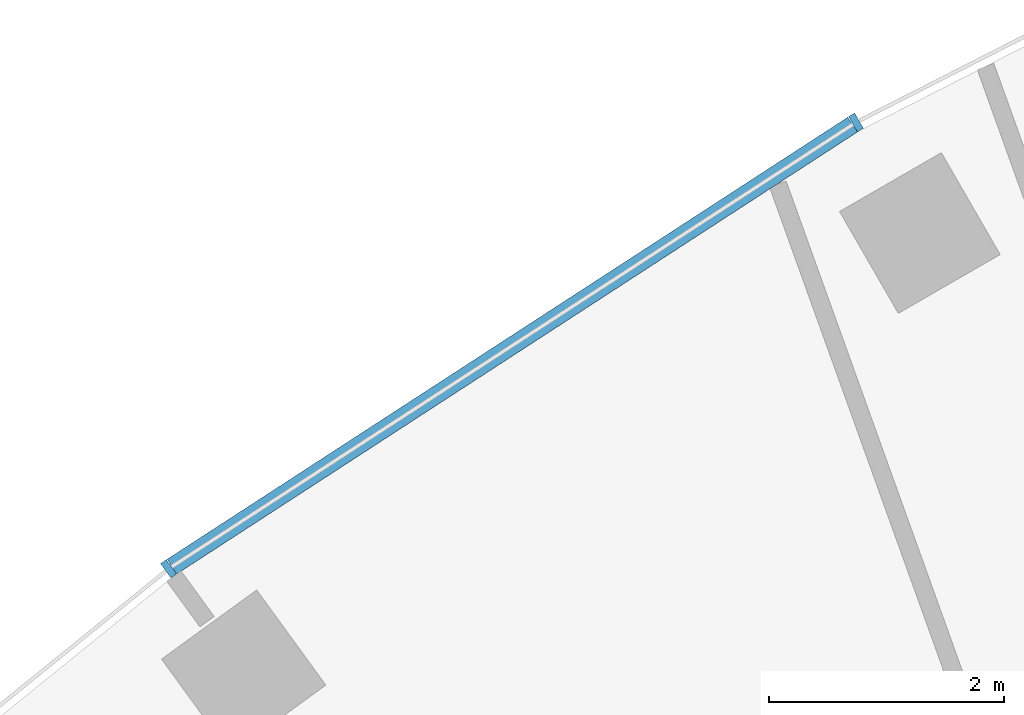
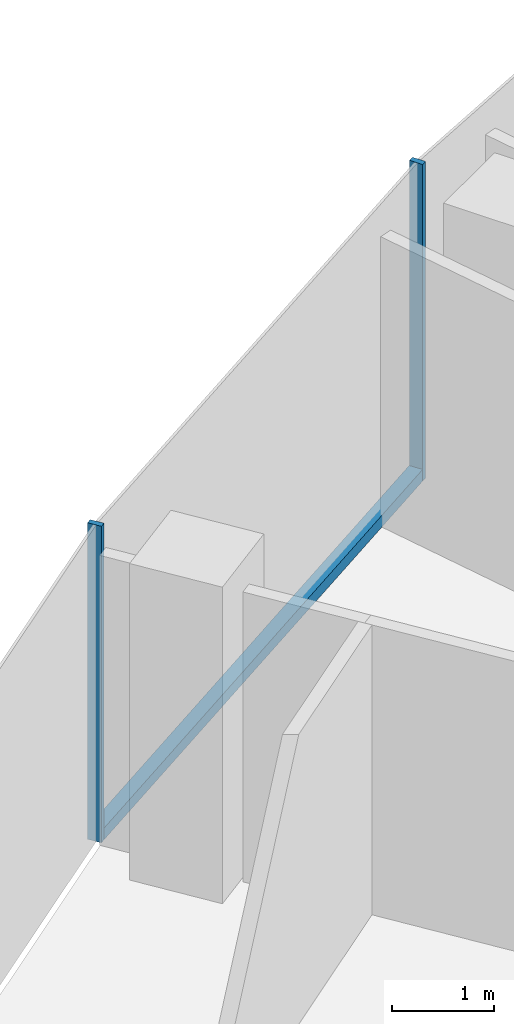
# One storey, part 4 of 20: 3 members, 1 element without a shape of its own.
"""IFC4 building model written with IfcOpenShell, lengths in metres."""

import ifcopenshell
import ifcopenshell.guid

model = None  # the IFC model being written
_history = None  # IfcOwnerHistory: only IFC2X3 demands one
_inside = {}  # id of a spatial element -> (the spatial element, [elements in it])
_under = {}  # id of a project, library or spatial element -> (it, [spatial elements below it])
_declared = {}  # id of a project -> (the project, [libraries it declares])
_typed = {}  # id of a type object -> (the type object, [elements of that type])
_made_of = {}  # id of a material, layer set ... -> (it, [elements and type objects made of it])


def new_model(schema):
    """Start an empty IFC model of exactly this schema.

    Asked for "IFC4X3", IfcOpenShell would pick the latest addendum, in which some entities
    have other attributes; the version numbers below select the first issue.
    IFC2X3 requires an IfcOwnerHistory on every rooted entity: one is made here for all.
    """
    global model, _history
    if schema == "IFC4X3":
        model = ifcopenshell.file(schema_version=(4, 3, 0, 0))
    else:
        model = ifcopenshell.file(schema=schema)
    _inside.clear()
    _under.clear()
    _declared.clear()
    _typed.clear()
    _made_of.clear()
    _history = None
    if model.schema == "IFC2X3":
        org = make("IfcOrganization", Name="unknown")
        user = make(
            "IfcPersonAndOrganization",
            ThePerson=make("IfcPerson", FamilyName="unknown"),
            TheOrganization=org,
        )
        app = make(
            "IfcApplication",
            ApplicationDeveloper=org,
            Version="unknown",
            ApplicationFullName="unknown",
            ApplicationIdentifier="unknown",
        )
        _history = make(
            "IfcOwnerHistory",
            OwningUser=user,
            OwningApplication=app,
            ChangeAction="ADDED",
            CreationDate=0,
        )
    return model


def make(cls, **values):
    """One entity of the class cls with the attributes given. An attribute that is None is left unset."""
    return model.create_entity(
        cls, **{name: value for name, value in values.items() if value is not None}
    )


def rooted(cls, **values):
    """An entity with a GlobalId (a new one), such as an element, a storey or a relation."""
    return make(cls, GlobalId=ifcopenshell.guid.new(), OwnerHistory=_history, **values)


def si_unit(unit_type, name, prefix=None):
    """IfcSIUnit, for example si_unit("LENGTHUNIT", "METRE", prefix="MILLI")."""
    return make("IfcSIUnit", UnitType=unit_type, Prefix=prefix, Name=name)


def assignment(units):
    """IfcUnitAssignment: the units of a project."""
    return None if units is None else make("IfcUnitAssignment", Units=units)


def point(xyz):
    """IfcCartesianPoint."""
    return None if xyz is None else make("IfcCartesianPoint", Coordinates=xyz)


def direction(xyz):
    """IfcDirection."""
    return None if xyz is None else make("IfcDirection", DirectionRatios=xyz)


def frame(location, z_axis=None, x_axis=None):
    """IfcAxis2Placement3D, a coordinate frame: its origin and axes. An axis left out is left unset."""
    return make(
        "IfcAxis2Placement3D",
        Location=point(location),
        Axis=direction(z_axis),
        RefDirection=direction(x_axis),
    )


def frame_2d(location, x_axis=None):
    """IfcAxis2Placement2D, a coordinate frame in the plane: its origin and x axis."""
    return make(
        "IfcAxis2Placement2D", Location=point(location), RefDirection=direction(x_axis)
    )


def origin():
    """The frame at (0, 0, 0) with its axes left unset."""
    return frame((0.0, 0.0, 0.0))


def origin_2d():
    """The frame at (0, 0) in the plane with its x axis left unset."""
    return frame_2d((0.0, 0.0))


def place(relative_to, where):
    """IfcLocalPlacement: puts the frame where relative to a parent placement (None: the world)."""
    return make(
        "IfcLocalPlacement", PlacementRelTo=relative_to, RelativePlacement=where
    )


def context(
    kind, dimensions, precision=None, world=None, true_north=None, identifier=None
):
    """IfcGeometricRepresentationContext, for example the 3D "Model" context."""
    return make(
        "IfcGeometricRepresentationContext",
        ContextIdentifier=identifier,
        ContextType=kind,
        CoordinateSpaceDimension=dimensions,
        Precision=precision,
        WorldCoordinateSystem=world,
        TrueNorth=true_north,
    )


def subcontext(parent, identifier, kind, view, scale=None):
    """IfcGeometricRepresentationSubContext, for example "Body" below "Model"."""
    return make(
        "IfcGeometricRepresentationSubContext",
        ContextIdentifier=identifier,
        ContextType=kind,
        ParentContext=parent,
        TargetScale=scale,
        TargetView=view,
    )


def project(units=None, contexts=None):
    """IfcProject with its units and contexts."""
    return rooted(
        "IfcProject",
        Name="project",
        RepresentationContexts=contexts,
        UnitsInContext=assignment(units),
    )


def spatial(cls, under=None, at=None, **own):
    """A site, building, storey or space (cls), placed at a placement, below another one or the project."""
    s = rooted(cls, ObjectPlacement=at, **own)
    if under is not None:
        _under.setdefault(under.id(), (under, []))[1].append(s)
    return s


def profile(cls, at=None, kind="AREA", **sizes):
    """A parametric profile (cls). Its sizes go by their IFC names, for example OverallWidth=200.0."""
    return make(cls, ProfileType=kind, Position=at, **sizes)


def rectangle(**sizes):
    """IfcRectangleProfileDef."""
    return profile("IfcRectangleProfileDef", **sizes)


def extrude(swept, where, along, depth):
    """IfcExtrudedAreaSolid: the profile swept, set in the frame where, extruded along a direction by depth."""
    return make(
        "IfcExtrudedAreaSolid",
        SweptArea=swept,
        Position=where,
        ExtrudedDirection=direction(along),
        Depth=depth,
    )


def shape(context_of_items, identifier, shape_type, items):
    """IfcShapeRepresentation: the items that make up one representation, for example the "Body"."""
    return make(
        "IfcShapeRepresentation",
        ContextOfItems=context_of_items,
        RepresentationIdentifier=identifier,
        RepresentationType=shape_type,
        Items=items,
    )


def material(Name=None, Category=None):
    """IfcMaterial."""
    return make("IfcMaterial", Name=Name, Category=Category)


def layer(
    of_material, thickness, ventilated=None, Name=None, Category=None, Priority=None
):
    """IfcMaterialLayer: one layer of a wall or slab, of a material (None: an air gap)."""
    return make(
        "IfcMaterialLayer",
        Material=of_material,
        LayerThickness=thickness,
        IsVentilated=ventilated,
        Name=Name,
        Category=Category,
        Priority=Priority,
    )


def layer_set(layers, Name=None):
    """IfcMaterialLayerSet."""
    return make("IfcMaterialLayerSet", MaterialLayers=layers, LayerSetName=Name)


def material_profile(
    of_material, cross_section, Name=None, Category=None, Priority=None
):
    """IfcMaterialProfile: a cross section and its material."""
    return make(
        "IfcMaterialProfile",
        Name=Name,
        Material=of_material,
        Profile=cross_section,
        Priority=Priority,
        Category=Category,
    )


def profile_set(profiles, Name=None, composite=None):
    """IfcMaterialProfileSet."""
    return make(
        "IfcMaterialProfileSet",
        Name=Name,
        MaterialProfiles=profiles,
        CompositeProfile=composite,
    )


def made_of(thing, what):
    """Note that an element or type object is made of a material, layer set ...; save() writes the relation."""
    if what is not None:
        _made_of.setdefault(what.id(), (what, []))[1].append(thing)
    return thing


def type_object(cls, material=None, **own):
    """A type object (cls), such as IfcWallType, which elements share."""
    return made_of(rooted(cls, **own), material)


def element(
    cls,
    number,
    at=None,
    inside=None,
    cuts=None,
    type_object=None,
    material=None,
    context=None,
    identifier="Body",
    shape_type=None,
    held_by="IfcProductDefinitionShape",
    body=None,
    shapes=None,
    **own,
):
    """One element of the class cls, such as IfcWall. Its Tag is "e" and its number.

    at: its placement. inside: the storey or other place that contains it. cuts: it is an
    opening in that element (IfcRelVoidsElement). A single representation is given by context,
    identifier, shape_type and body (its items); several are given by shapes. held_by: the class
    of the entity that holds the representations. save() writes the other relations.
    """
    e = rooted(cls, Tag="e%d" % number, ObjectPlacement=at, **own)
    if body is not None:
        shapes = [shape(context, identifier, shape_type, body)]
    if shapes is not None:
        e.Representation = make(held_by, Representations=shapes)
    if inside is not None:
        _inside.setdefault(inside.id(), (inside, []))[1].append(e)
    if cuts is not None:
        rooted(
            "IfcRelVoidsElement", RelatingBuildingElement=cuts, RelatedOpeningElement=e
        )
    if type_object is not None:
        _typed.setdefault(type_object.id(), (type_object, []))[1].append(e)
    return made_of(e, material)


def aggregate(whole, parts):
    """IfcRelAggregates: a whole, such as a stair, and the parts it consists of."""
    return rooted("IfcRelAggregates", RelatingObject=whole, RelatedObjects=parts)


def save(model, path):
    """Write the relations noted so far, then the file.

    IfcRelAggregates (storeys below a building ...), IfcRelContainedInSpatialStructure (elements
    in a storey), IfcRelDefinesByType, IfcRelAssociatesMaterial and IfcRelDeclares: one each for
    every whole, place, type object, material and project.
    """
    for whole, parts in _under.values():
        aggregate(whole, parts)
    for where, things in _inside.values():
        rooted(
            "IfcRelContainedInSpatialStructure",
            RelatedElements=things,
            RelatingStructure=where,
        )
    for kind, things in _typed.values():
        rooted("IfcRelDefinesByType", RelatedObjects=things, RelatingType=kind)
    for what, things in _made_of.values():
        rooted("IfcRelAssociatesMaterial", RelatedObjects=things, RelatingMaterial=what)
    for by, libraries in _declared.values():
        rooted("IfcRelDeclares", RelatingContext=by, RelatedDefinitions=libraries)
    model.write(path)


model = new_model("IFC4")

# Units and contexts
model_context = context("Model", 3, precision=1e-05, world=origin(), true_north=direction((0.0, 1.0)))
body_context = subcontext(model_context, "Body", "Model", "MODEL_VIEW")
ifc_project = project(units=[si_unit("LENGTHUNIT", "METRE"), si_unit("AREAUNIT", "SQUARE_METRE"), si_unit("VOLUMEUNIT", "CUBIC_METRE"), si_unit("PLANEANGLEUNIT", "RADIAN"), si_unit("MASSUNIT", "GRAM", prefix="KILO")], contexts=[model_context])

# Site, building, storey
site_placement = place(None, origin())
site = spatial("IfcSite", under=ifc_project, at=site_placement, CompositionType="ELEMENT")
building_placement = place(site_placement, origin())
building = spatial("IfcBuilding", under=site, at=building_placement, Name="Stone Belt Terrace Tower", CompositionType="ELEMENT")
storey_placement = place(building_placement, frame((0.0, 0.0, 185.800048828125)))
storey = spatial("IfcBuildingStorey", under=building, at=storey_placement, Name="L45", CompositionType="ELEMENT", Elevation=185.800048828125)

# Curtain wall, members
ifc_material = material(Name="Aluminium 6063-T6 anodised frame", Category="aluminium")
ifc_layer = layer(ifc_material, 0.14990234375)
ifc_layer_set = layer_set([ifc_layer], Name="CW-A unitised convex-face curtain wall")
curtain_wall_type = type_object("IfcCurtainWallType", Name="CW-A unitised convex-face curtain wall", PredefinedType="NOTDEFINED", material=ifc_layer_set)
curtain_wall_placement = place(storey_placement, origin())
curtain_wall = element("IfcCurtainWall", 1, at=curtain_wall_placement, inside=storey, type_object=curtain_wall_type, Name="CW-A convex face L45", PredefinedType="NOTDEFINED")
ifc_material_profile_1 = material_profile(ifc_material, rectangle(XDim=0.14990234375, YDim=0.06005859375, at=origin_2d()), Name="Aluminium 6063-T6 60x150")
ifc_profile_set_1 = profile_set([ifc_material_profile_1], Name="Aluminium 6063-T6 anodised frame")
member_type_1 = type_object("IfcMemberType", Name="CW-A mullion 60 x 150", PredefinedType="MULLION", material=ifc_profile_set_1)
member_1_placement = place(storey_placement, frame((-33.28759765625, 57.65576171875, 0.0), z_axis=(0.0, 0.0, 1.0), x_axis=(0.5, -0.866025403784, 0.0)))
member_1 = element("IfcMember", 2, at=member_1_placement, type_object=member_type_1, Name="CW-A mullion 13", PredefinedType="MULLION", context=body_context, shape_type="SweptSolid", body=[
    extrude(rectangle(XDim=0.14990234375, YDim=0.06005859375, at=origin_2d()), origin(), (0.0, 0.0, 1.0), 3.800048828125),
])
member_2_placement = place(storey_placement, frame((-39.1318359375, 53.8603515625, 0.0), z_axis=(0.0, 0.0, 1.0), x_axis=(0.587785252292, -0.809016994375, 0.0)))
member_2 = element("IfcMember", 3, at=member_2_placement, type_object=member_type_1, Name="CW-A mullion 14", PredefinedType="MULLION", context=body_context, shape_type="SweptSolid", body=[
    extrude(rectangle(XDim=0.14990234375, YDim=0.06005859375, at=origin_2d()), origin(), (0.0, 0.0, 1.0), 3.800048828125),
])
ifc_material_profile_2 = material_profile(ifc_material, rectangle(XDim=0.14990234375, YDim=0.139892578125, at=origin_2d()), Name="Aluminium 6063-T6 150x140")
ifc_profile_set_2 = profile_set([ifc_material_profile_2], Name="Aluminium 6063-T6 anodised frame")
member_type_2 = type_object("IfcMemberType", Name="CW-A transom 140 x 150", PredefinedType="USERDEFINED", material=ifc_profile_set_2)
member_3_placement = place(storey_placement, frame((-33.31591796875, 57.63720703125, 0.070068359375), z_axis=(-0.83868440714, -0.544617723931, 0.0), x_axis=(0.544617723931, -0.83868440714, 0.0)))
member_3 = element("IfcMember", 4, at=member_3_placement, type_object=member_type_2, Name="CW-A transom 13.1", ObjectType="TRANSOM", PredefinedType="USERDEFINED", context=body_context, shape_type="SweptSolid", body=[
    extrude(rectangle(XDim=0.14990234375, YDim=0.139892578125, at=origin_2d()), origin(), (0.0, 0.0, 1.0), 6.90087890625),
])
aggregate(curtain_wall, [member_1, member_2, member_3])

save(model, "model.ifc")
